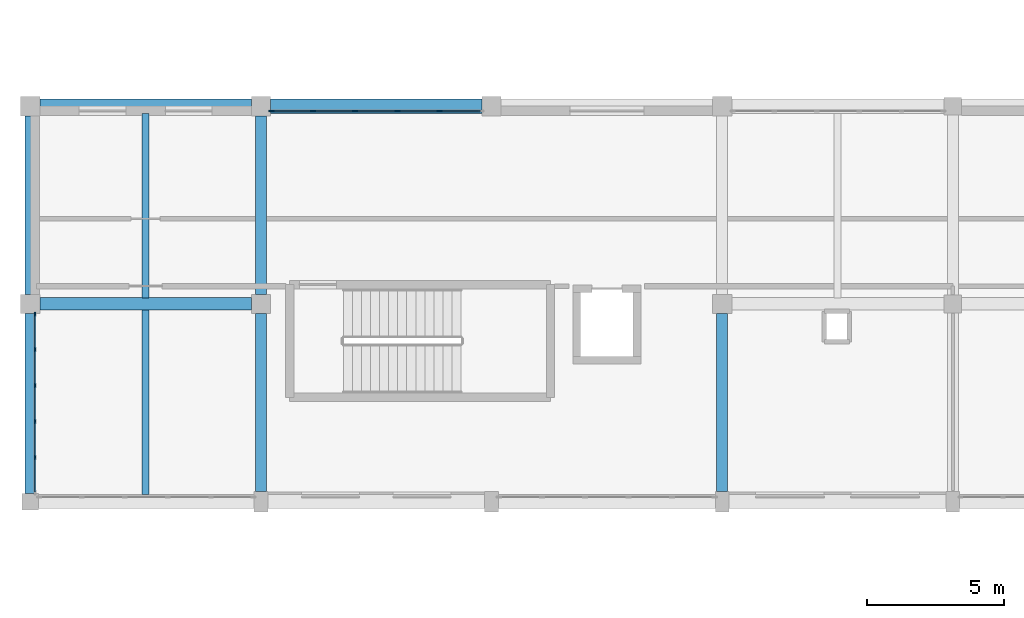
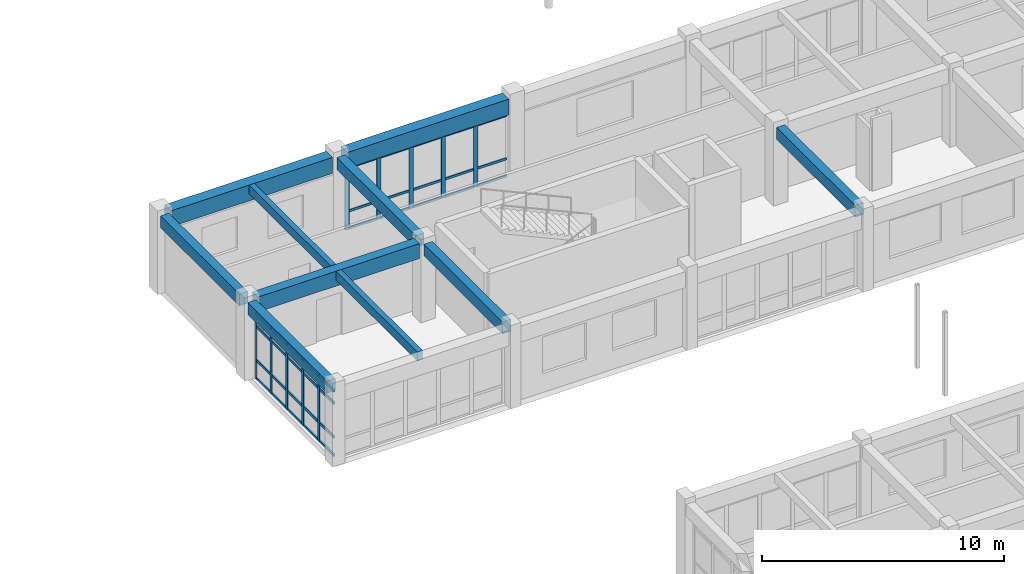
# One storey, part 55 of 147: 45 members, 10 beams, 2 elements without a shape of their own.
"""IFC4 building model written with IfcOpenShell, lengths in metres."""

from ifc_helpers import new_model, si_unit, direction, frame, origin, origin_2d, place, context, subcontext, project, spatial, rectangle, extrude, material, material_profile, profile_set, type_object, element, aggregate, save


model = new_model("IFC4")

# Units and contexts
model_context = context("Model", 3, precision=1e-05, world=origin(), true_north=direction((0.0, 1.0)))
body_context = subcontext(model_context, "Body", "Model", "MODEL_VIEW")
ifc_project = project(units=[si_unit("LENGTHUNIT", "METRE"), si_unit("AREAUNIT", "SQUARE_METRE"), si_unit("VOLUMEUNIT", "CUBIC_METRE"), si_unit("PLANEANGLEUNIT", "RADIAN"), si_unit("MASSUNIT", "GRAM", prefix="KILO")], contexts=[model_context])

# Site, building, storey
site_placement = place(None, origin())
site = spatial("IfcSite", under=ifc_project, at=site_placement, CompositionType="ELEMENT")
building_placement = place(site_placement, origin())
building = spatial("IfcBuilding", under=site, at=building_placement, Name="Malvenik Polytechnic", CompositionType="ELEMENT")
storey_placement = place(building_placement, frame((0.0, 0.0, 5.10009765625)))
storey = spatial("IfcBuildingStorey", under=building, at=storey_placement, Name="L01", CompositionType="ELEMENT", Elevation=5.10009765625)

# Curtain wall, members
ifc_material_1 = material(Name="Anodised aluminium 6060-T6", Category="aluminium")
curtain_wall_type_1 = type_object("IfcCurtainWallType", Name="ARC-CW-CW-05", PredefinedType="NOTDEFINED", material=ifc_material_1)
curtain_wall_1_placement = place(storey_placement, origin())
curtain_wall_1 = element("IfcCurtainWall", 1, at=curtain_wall_1_placement, inside=storey, type_object=curtain_wall_type_1, Name="Unitised Curtain Wall CW-05 L01 #32", PredefinedType="NOTDEFINED")
ifc_material_2 = material(Name="Anodised aluminium", Category="aluminium")
ifc_material_profile_1 = material_profile(ifc_material_2, rectangle(XDim=0.06005859375, YDim=0.159912109375, at=origin_2d()), Name="ALU MULLION 60x160")
ifc_profile_set_1 = profile_set([ifc_material_profile_1], Name="Anodised aluminium")
member_type_1 = type_object("IfcMemberType", Name="ARC-CWM-160", PredefinedType="MULLION", material=ifc_profile_set_1)
member_1_placement = place(storey_placement, frame((0.169921875, 80.808837890625, 0.0), z_axis=(0.0, 0.0, 1.0), x_axis=(-1.0, 0.0, 0.0)))
member_1 = element("IfcMember", 2, at=member_1_placement, type_object=member_type_1, Name="CW-05 mullion 2", PredefinedType="MULLION", context=body_context, shape_type="SweptSolid", body=[
    extrude(rectangle(XDim=0.06005859375, YDim=0.159912109375, at=origin_2d()), origin(), (0.0, 0.0, 1.0), 3.309814453125),
])
member_2_placement = place(storey_placement, frame((0.169921875, 82.11962890625, 0.0), z_axis=(0.0, 0.0, 1.0), x_axis=(-1.0, 0.0, 0.0)))
member_2 = element("IfcMember", 3, at=member_2_placement, type_object=member_type_1, Name="CW-05 mullion 3", PredefinedType="MULLION", context=body_context, shape_type="SweptSolid", body=[
    extrude(rectangle(XDim=0.06005859375, YDim=0.159912109375, at=origin_2d()), origin(), (0.0, 0.0, 1.0), 3.309814453125),
])
member_3_placement = place(storey_placement, frame((0.169921875, 83.430419921875, 0.0), z_axis=(0.0, 0.0, 1.0), x_axis=(-1.0, 0.0, 0.0)))
member_3 = element("IfcMember", 4, at=member_3_placement, type_object=member_type_1, Name="CW-05 mullion 4", PredefinedType="MULLION", context=body_context, shape_type="SweptSolid", body=[
    extrude(rectangle(XDim=0.06005859375, YDim=0.159912109375, at=origin_2d()), origin(), (0.0, 0.0, 1.0), 3.309814453125),
])
member_4_placement = place(storey_placement, frame((0.169921875, 84.7412109375, 0.0), z_axis=(0.0, 0.0, 1.0), x_axis=(-1.0, 0.0, 0.0)))
member_4 = element("IfcMember", 5, at=member_4_placement, type_object=member_type_1, Name="CW-05 mullion 5", PredefinedType="MULLION", context=body_context, shape_type="SweptSolid", body=[
    extrude(rectangle(XDim=0.06005859375, YDim=0.159912109375, at=origin_2d()), origin(), (0.0, 0.0, 1.0), 3.309814453125),
])
member_5_placement = place(storey_placement, frame((0.169921875, 86.02197265625, 0.0), z_axis=(0.0, 0.0, 1.0), x_axis=(-1.0, 0.0, 0.0)))
member_5 = element("IfcMember", 6, at=member_5_placement, type_object=member_type_1, Name="CW-05 mullion 6", PredefinedType="MULLION", context=body_context, shape_type="SweptSolid", body=[
    extrude(rectangle(XDim=0.06005859375, YDim=0.159912109375, at=origin_2d()), origin(), (0.0, 0.0, 1.0), 3.309814453125),
])

curtain_wall_type_2 = type_object("IfcCurtainWallType", Name="ARC-CW-CW-02", PredefinedType="NOTDEFINED", material=ifc_material_1)
curtain_wall_2_placement = place(storey_placement, origin())
curtain_wall_2 = element("IfcCurtainWall", 7, at=curtain_wall_2_placement, inside=storey, type_object=curtain_wall_type_2, Name="Unitised Curtain Wall CW-02 L01 #33", PredefinedType="NOTDEFINED")
ifc_material_profile_2 = material_profile(ifc_material_2, rectangle(XDim=0.06005859375, YDim=0.199951171875, at=origin_2d()), Name="ALU MULLION 60x200")
ifc_profile_set_2 = profile_set([ifc_material_profile_2], Name="Anodised aluminium")
member_type_2 = type_object("IfcMemberType", Name="ARC-CWM-200", PredefinedType="MULLION", material=ifc_profile_set_2)
member_6_placement = place(storey_placement, frame((8.778076171875, 93.429931640625, 0.0), z_axis=(0.0, 0.0, 1.0), x_axis=(0.0, 1.0, 0.0)))
member_6 = element("IfcMember", 8, at=member_6_placement, type_object=member_type_2, Name="CW-02 mullion 1", PredefinedType="MULLION", context=body_context, shape_type="SweptSolid", body=[
    extrude(rectangle(XDim=0.06005859375, YDim=0.199951171875, at=origin_2d()), origin(), (0.0, 0.0, 1.0), 3.10986328125),
])
member_7_placement = place(storey_placement, frame((10.288818359375, 93.429931640625, 0.0), z_axis=(0.0, 0.0, 1.0), x_axis=(0.0, 1.0, 0.0)))
member_7 = element("IfcMember", 9, at=member_7_placement, type_object=member_type_2, Name="CW-02 mullion 2", PredefinedType="MULLION", context=body_context, shape_type="SweptSolid", body=[
    extrude(rectangle(XDim=0.06005859375, YDim=0.199951171875, at=origin_2d()), origin(), (0.0, 0.0, 1.0), 3.10986328125),
])
member_8_placement = place(storey_placement, frame((11.82958984375, 93.429931640625, 0.0), z_axis=(0.0, 0.0, 1.0), x_axis=(0.0, 1.0, 0.0)))
member_8 = element("IfcMember", 10, at=member_8_placement, type_object=member_type_2, Name="CW-02 mullion 3", PredefinedType="MULLION", context=body_context, shape_type="SweptSolid", body=[
    extrude(rectangle(XDim=0.06005859375, YDim=0.199951171875, at=origin_2d()), origin(), (0.0, 0.0, 1.0), 3.10986328125),
])
member_9_placement = place(storey_placement, frame((13.370361328125, 93.429931640625, 0.0), z_axis=(0.0, 0.0, 1.0), x_axis=(0.0, 1.0, 0.0)))
member_9 = element("IfcMember", 11, at=member_9_placement, type_object=member_type_2, Name="CW-02 mullion 4", PredefinedType="MULLION", context=body_context, shape_type="SweptSolid", body=[
    extrude(rectangle(XDim=0.06005859375, YDim=0.199951171875, at=origin_2d()), origin(), (0.0, 0.0, 1.0), 3.10986328125),
])
member_10_placement = place(storey_placement, frame((14.9111328125, 93.429931640625, 0.0), z_axis=(0.0, 0.0, 1.0), x_axis=(0.0, 1.0, 0.0)))
member_10 = element("IfcMember", 12, at=member_10_placement, type_object=member_type_2, Name="CW-02 mullion 5", PredefinedType="MULLION", context=body_context, shape_type="SweptSolid", body=[
    extrude(rectangle(XDim=0.06005859375, YDim=0.199951171875, at=origin_2d()), origin(), (0.0, 0.0, 1.0), 3.10986328125),
])
ifc_material_profile_3 = material_profile(ifc_material_2, rectangle(XDim=0.06005859375, YDim=0.1201171875, at=origin_2d()), Name="ALU TRANSOM 60x120")
ifc_profile_set_3 = profile_set([ifc_material_profile_3], Name="Anodised aluminium")
member_type_3 = type_object("IfcMemberType", Name="ARC-CWT-120", PredefinedType="USERDEFINED", material=ifc_profile_set_3)
member_11_placement = place(storey_placement, frame((8.80810546875, 93.429931640625, 0.02978515625), z_axis=(1.0, 0.0, 0.0), x_axis=(0.0, 1.0, 0.0)))
member_11 = element("IfcMember", 13, at=member_11_placement, type_object=member_type_3, Name="CW-02 transom 1.1", ObjectType="TRANSOM", PredefinedType="USERDEFINED", context=body_context, shape_type="SweptSolid", body=[
    extrude(rectangle(XDim=0.06005859375, YDim=0.1201171875, at=origin_2d()), origin(), (0.0, 0.0, 1.0), 1.45068359375),
])
member_12_placement = place(storey_placement, frame((8.80810546875, 93.429931640625, 0.89990234375), z_axis=(1.0, 0.0, 0.0), x_axis=(0.0, 1.0, 0.0)))
member_12 = element("IfcMember", 14, at=member_12_placement, type_object=member_type_3, Name="CW-02 transom 1.2", ObjectType="TRANSOM", PredefinedType="USERDEFINED", context=body_context, shape_type="SweptSolid", body=[
    extrude(rectangle(XDim=0.06005859375, YDim=0.1201171875, at=origin_2d()), origin(), (0.0, 0.0, 1.0), 1.45068359375),
])
member_13_placement = place(storey_placement, frame((8.80810546875, 93.429931640625, 3.079833984375), z_axis=(1.0, 0.0, 0.0), x_axis=(0.0, 1.0, 0.0)))
member_13 = element("IfcMember", 15, at=member_13_placement, type_object=member_type_3, Name="CW-02 transom 1.3", ObjectType="TRANSOM", PredefinedType="USERDEFINED", context=body_context, shape_type="SweptSolid", body=[
    extrude(rectangle(XDim=0.06005859375, YDim=0.1201171875, at=origin_2d()), origin(), (0.0, 0.0, 1.0), 1.45068359375),
])
member_14_placement = place(storey_placement, frame((10.31884765625, 93.429931640625, 0.02978515625), z_axis=(1.0, 0.0, 0.0), x_axis=(0.0, 1.0, 0.0)))
member_14 = element("IfcMember", 16, at=member_14_placement, type_object=member_type_3, Name="CW-02 transom 2.1", ObjectType="TRANSOM", PredefinedType="USERDEFINED", context=body_context, shape_type="SweptSolid", body=[
    extrude(rectangle(XDim=0.06005859375, YDim=0.1201171875, at=origin_2d()), origin(), (0.0, 0.0, 1.0), 1.480712890625),
])
member_15_placement = place(storey_placement, frame((10.31884765625, 93.429931640625, 0.89990234375), z_axis=(1.0, 0.0, 0.0), x_axis=(0.0, 1.0, 0.0)))
member_15 = element("IfcMember", 17, at=member_15_placement, type_object=member_type_3, Name="CW-02 transom 2.2", ObjectType="TRANSOM", PredefinedType="USERDEFINED", context=body_context, shape_type="SweptSolid", body=[
    extrude(rectangle(XDim=0.06005859375, YDim=0.1201171875, at=origin_2d()), origin(), (0.0, 0.0, 1.0), 1.480712890625),
])
member_16_placement = place(storey_placement, frame((10.31884765625, 93.429931640625, 3.079833984375), z_axis=(1.0, 0.0, 0.0), x_axis=(0.0, 1.0, 0.0)))
member_16 = element("IfcMember", 18, at=member_16_placement, type_object=member_type_3, Name="CW-02 transom 2.3", ObjectType="TRANSOM", PredefinedType="USERDEFINED", context=body_context, shape_type="SweptSolid", body=[
    extrude(rectangle(XDim=0.06005859375, YDim=0.1201171875, at=origin_2d()), origin(), (0.0, 0.0, 1.0), 1.480712890625),
])
member_17_placement = place(storey_placement, frame((11.859619140625, 93.429931640625, 0.02978515625), z_axis=(1.0, 0.0, 0.0), x_axis=(0.0, 1.0, 0.0)))
member_17 = element("IfcMember", 19, at=member_17_placement, type_object=member_type_3, Name="CW-02 transom 3.1", ObjectType="TRANSOM", PredefinedType="USERDEFINED", context=body_context, shape_type="SweptSolid", body=[
    extrude(rectangle(XDim=0.06005859375, YDim=0.1201171875, at=origin_2d()), origin(), (0.0, 0.0, 1.0), 1.480712890625),
])
member_18_placement = place(storey_placement, frame((11.859619140625, 93.429931640625, 0.89990234375), z_axis=(1.0, 0.0, 0.0), x_axis=(0.0, 1.0, 0.0)))
member_18 = element("IfcMember", 20, at=member_18_placement, type_object=member_type_3, Name="CW-02 transom 3.2", ObjectType="TRANSOM", PredefinedType="USERDEFINED", context=body_context, shape_type="SweptSolid", body=[
    extrude(rectangle(XDim=0.06005859375, YDim=0.1201171875, at=origin_2d()), origin(), (0.0, 0.0, 1.0), 1.480712890625),
])
member_19_placement = place(storey_placement, frame((11.859619140625, 93.429931640625, 3.079833984375), z_axis=(1.0, 0.0, 0.0), x_axis=(0.0, 1.0, 0.0)))
member_19 = element("IfcMember", 21, at=member_19_placement, type_object=member_type_3, Name="CW-02 transom 3.3", ObjectType="TRANSOM", PredefinedType="USERDEFINED", context=body_context, shape_type="SweptSolid", body=[
    extrude(rectangle(XDim=0.06005859375, YDim=0.1201171875, at=origin_2d()), origin(), (0.0, 0.0, 1.0), 1.480712890625),
])
member_20_placement = place(storey_placement, frame((13.400390625, 93.429931640625, 0.02978515625), z_axis=(1.0, 0.0, 0.0), x_axis=(0.0, 1.0, 0.0)))
member_20 = element("IfcMember", 22, at=member_20_placement, type_object=member_type_3, Name="CW-02 transom 4.1", ObjectType="TRANSOM", PredefinedType="USERDEFINED", context=body_context, shape_type="SweptSolid", body=[
    extrude(rectangle(XDim=0.06005859375, YDim=0.1201171875, at=origin_2d()), origin(), (0.0, 0.0, 1.0), 1.480712890625),
])
member_21_placement = place(storey_placement, frame((13.400390625, 93.429931640625, 0.89990234375), z_axis=(1.0, 0.0, 0.0), x_axis=(0.0, 1.0, 0.0)))
member_21 = element("IfcMember", 23, at=member_21_placement, type_object=member_type_3, Name="CW-02 transom 4.2", ObjectType="TRANSOM", PredefinedType="USERDEFINED", context=body_context, shape_type="SweptSolid", body=[
    extrude(rectangle(XDim=0.06005859375, YDim=0.1201171875, at=origin_2d()), origin(), (0.0, 0.0, 1.0), 1.480712890625),
])
member_22_placement = place(storey_placement, frame((13.400390625, 93.429931640625, 3.079833984375), z_axis=(1.0, 0.0, 0.0), x_axis=(0.0, 1.0, 0.0)))
member_22 = element("IfcMember", 24, at=member_22_placement, type_object=member_type_3, Name="CW-02 transom 4.3", ObjectType="TRANSOM", PredefinedType="USERDEFINED", context=body_context, shape_type="SweptSolid", body=[
    extrude(rectangle(XDim=0.06005859375, YDim=0.1201171875, at=origin_2d()), origin(), (0.0, 0.0, 1.0), 1.480712890625),
])
member_23_placement = place(storey_placement, frame((14.941162109375, 93.429931640625, 0.02978515625), z_axis=(1.0, 0.0, 0.0), x_axis=(0.0, 1.0, 0.0)))
member_23 = element("IfcMember", 25, at=member_23_placement, type_object=member_type_3, Name="CW-02 transom 5.1", ObjectType="TRANSOM", PredefinedType="USERDEFINED", context=body_context, shape_type="SweptSolid", body=[
    extrude(rectangle(XDim=0.06005859375, YDim=0.1201171875, at=origin_2d()), origin(), (0.0, 0.0, 1.0), 1.450927734375),
])
member_24_placement = place(storey_placement, frame((14.941162109375, 93.429931640625, 0.89990234375), z_axis=(1.0, 0.0, 0.0), x_axis=(0.0, 1.0, 0.0)))
member_24 = element("IfcMember", 26, at=member_24_placement, type_object=member_type_3, Name="CW-02 transom 5.2", ObjectType="TRANSOM", PredefinedType="USERDEFINED", context=body_context, shape_type="SweptSolid", body=[
    extrude(rectangle(XDim=0.06005859375, YDim=0.1201171875, at=origin_2d()), origin(), (0.0, 0.0, 1.0), 1.450927734375),
])
member_25_placement = place(storey_placement, frame((14.941162109375, 93.429931640625, 3.079833984375), z_axis=(1.0, 0.0, 0.0), x_axis=(0.0, 1.0, 0.0)))
member_25 = element("IfcMember", 27, at=member_25_placement, type_object=member_type_3, Name="CW-02 transom 5.3", ObjectType="TRANSOM", PredefinedType="USERDEFINED", context=body_context, shape_type="SweptSolid", body=[
    extrude(rectangle(XDim=0.06005859375, YDim=0.1201171875, at=origin_2d()), origin(), (0.0, 0.0, 1.0), 1.450927734375),
])
aggregate(curtain_wall_2, [member_6, member_7, member_8, member_9, member_10, member_11, member_12, member_13, member_14, member_15, member_16, member_17, member_18, member_19, member_20, member_21, member_22, member_23, member_24, member_25])

# Member
ifc_material_profile_4 = material_profile(ifc_material_2, rectangle(XDim=0.06005859375, YDim=0.139892578125, at=origin_2d()), Name="ALU TRANSOM 60x140")
ifc_profile_set_4 = profile_set([ifc_material_profile_4], Name="Anodised aluminium")
member_type_4 = type_object("IfcMemberType", Name="ARC-CWT-140", PredefinedType="USERDEFINED", material=ifc_profile_set_4)
member_26_placement = place(storey_placement, frame((0.169921875, 79.55810546875, 0.02978515625), z_axis=(0.0, 1.0, 0.0), x_axis=(-1.0, 0.0, 0.0)))
member_26 = element("IfcMember", 28, at=member_26_placement, type_object=member_type_4, Name="CW-05 transom 1.1", ObjectType="TRANSOM", PredefinedType="USERDEFINED", context=body_context, shape_type="SweptSolid", body=[
    extrude(rectangle(XDim=0.06005859375, YDim=0.139892578125, at=origin_2d()), origin(), (0.0, 0.0, 1.0), 1.220703125),
])

member_27_placement = place(storey_placement, frame((0.169921875, 79.55810546875, 0.949951171875), z_axis=(0.0, 1.0, 0.0), x_axis=(-1.0, 0.0, 0.0)))
member_27 = element("IfcMember", 29, at=member_27_placement, type_object=member_type_4, Name="CW-05 transom 1.2", ObjectType="TRANSOM", PredefinedType="USERDEFINED", context=body_context, shape_type="SweptSolid", body=[
    extrude(rectangle(XDim=0.06005859375, YDim=0.139892578125, at=origin_2d()), origin(), (0.0, 0.0, 1.0), 1.220703125),
])

member_28_placement = place(storey_placement, frame((0.169921875, 79.55810546875, 2.659912109375), z_axis=(0.0, 1.0, 0.0), x_axis=(-1.0, 0.0, 0.0)))
member_28 = element("IfcMember", 30, at=member_28_placement, type_object=member_type_4, Name="CW-05 transom 1.3", ObjectType="TRANSOM", PredefinedType="USERDEFINED", context=body_context, shape_type="SweptSolid", body=[
    extrude(rectangle(XDim=0.06005859375, YDim=0.139892578125, at=origin_2d()), origin(), (0.0, 0.0, 1.0), 1.220703125),
])

member_29_placement = place(storey_placement, frame((0.169921875, 79.55810546875, 3.27978515625), z_axis=(0.0, 1.0, 0.0), x_axis=(-1.0, 0.0, 0.0)))
member_29 = element("IfcMember", 31, at=member_29_placement, type_object=member_type_4, Name="CW-05 transom 1.4", ObjectType="TRANSOM", PredefinedType="USERDEFINED", context=body_context, shape_type="SweptSolid", body=[
    extrude(rectangle(XDim=0.06005859375, YDim=0.139892578125, at=origin_2d()), origin(), (0.0, 0.0, 1.0), 1.220703125),
])

member_30_placement = place(storey_placement, frame((0.169921875, 80.8388671875, 0.02978515625), z_axis=(0.0, 1.0, 0.0), x_axis=(-1.0, 0.0, 0.0)))
member_30 = element("IfcMember", 32, at=member_30_placement, type_object=member_type_4, Name="CW-05 transom 2.1", ObjectType="TRANSOM", PredefinedType="USERDEFINED", context=body_context, shape_type="SweptSolid", body=[
    extrude(rectangle(XDim=0.06005859375, YDim=0.139892578125, at=origin_2d()), origin(), (0.0, 0.0, 1.0), 1.250732421875),
])

member_31_placement = place(storey_placement, frame((0.169921875, 80.8388671875, 0.949951171875), z_axis=(0.0, 1.0, 0.0), x_axis=(-1.0, 0.0, 0.0)))
member_31 = element("IfcMember", 33, at=member_31_placement, type_object=member_type_4, Name="CW-05 transom 2.2", ObjectType="TRANSOM", PredefinedType="USERDEFINED", context=body_context, shape_type="SweptSolid", body=[
    extrude(rectangle(XDim=0.06005859375, YDim=0.139892578125, at=origin_2d()), origin(), (0.0, 0.0, 1.0), 1.250732421875),
])

member_32_placement = place(storey_placement, frame((0.169921875, 80.8388671875, 2.659912109375), z_axis=(0.0, 1.0, 0.0), x_axis=(-1.0, 0.0, 0.0)))
member_32 = element("IfcMember", 34, at=member_32_placement, type_object=member_type_4, Name="CW-05 transom 2.3", ObjectType="TRANSOM", PredefinedType="USERDEFINED", context=body_context, shape_type="SweptSolid", body=[
    extrude(rectangle(XDim=0.06005859375, YDim=0.139892578125, at=origin_2d()), origin(), (0.0, 0.0, 1.0), 1.250732421875),
])

member_33_placement = place(storey_placement, frame((0.169921875, 80.8388671875, 3.27978515625), z_axis=(0.0, 1.0, 0.0), x_axis=(-1.0, 0.0, 0.0)))
member_33 = element("IfcMember", 35, at=member_33_placement, type_object=member_type_4, Name="CW-05 transom 2.4", ObjectType="TRANSOM", PredefinedType="USERDEFINED", context=body_context, shape_type="SweptSolid", body=[
    extrude(rectangle(XDim=0.06005859375, YDim=0.139892578125, at=origin_2d()), origin(), (0.0, 0.0, 1.0), 1.250732421875),
])

member_34_placement = place(storey_placement, frame((0.169921875, 82.149658203125, 0.02978515625), z_axis=(0.0, 1.0, 0.0), x_axis=(-1.0, 0.0, 0.0)))
member_34 = element("IfcMember", 36, at=member_34_placement, type_object=member_type_4, Name="CW-05 transom 3.1", ObjectType="TRANSOM", PredefinedType="USERDEFINED", context=body_context, shape_type="SweptSolid", body=[
    extrude(rectangle(XDim=0.06005859375, YDim=0.139892578125, at=origin_2d()), origin(), (0.0, 0.0, 1.0), 1.250732421875),
])

member_35_placement = place(storey_placement, frame((0.169921875, 82.149658203125, 0.949951171875), z_axis=(0.0, 1.0, 0.0), x_axis=(-1.0, 0.0, 0.0)))
member_35 = element("IfcMember", 37, at=member_35_placement, type_object=member_type_4, Name="CW-05 transom 3.2", ObjectType="TRANSOM", PredefinedType="USERDEFINED", context=body_context, shape_type="SweptSolid", body=[
    extrude(rectangle(XDim=0.06005859375, YDim=0.139892578125, at=origin_2d()), origin(), (0.0, 0.0, 1.0), 1.250732421875),
])

member_36_placement = place(storey_placement, frame((0.169921875, 82.149658203125, 2.659912109375), z_axis=(0.0, 1.0, 0.0), x_axis=(-1.0, 0.0, 0.0)))
member_36 = element("IfcMember", 38, at=member_36_placement, type_object=member_type_4, Name="CW-05 transom 3.3", ObjectType="TRANSOM", PredefinedType="USERDEFINED", context=body_context, shape_type="SweptSolid", body=[
    extrude(rectangle(XDim=0.06005859375, YDim=0.139892578125, at=origin_2d()), origin(), (0.0, 0.0, 1.0), 1.250732421875),
])

member_37_placement = place(storey_placement, frame((0.169921875, 82.149658203125, 3.27978515625), z_axis=(0.0, 1.0, 0.0), x_axis=(-1.0, 0.0, 0.0)))
member_37 = element("IfcMember", 39, at=member_37_placement, type_object=member_type_4, Name="CW-05 transom 3.4", ObjectType="TRANSOM", PredefinedType="USERDEFINED", context=body_context, shape_type="SweptSolid", body=[
    extrude(rectangle(XDim=0.06005859375, YDim=0.139892578125, at=origin_2d()), origin(), (0.0, 0.0, 1.0), 1.250732421875),
])

member_38_placement = place(storey_placement, frame((0.169921875, 83.46044921875, 0.02978515625), z_axis=(0.0, 1.0, 0.0), x_axis=(-1.0, 0.0, 0.0)))
member_38 = element("IfcMember", 40, at=member_38_placement, type_object=member_type_4, Name="CW-05 transom 4.1", ObjectType="TRANSOM", PredefinedType="USERDEFINED", context=body_context, shape_type="SweptSolid", body=[
    extrude(rectangle(XDim=0.06005859375, YDim=0.139892578125, at=origin_2d()), origin(), (0.0, 0.0, 1.0), 1.250732421875),
])

member_39_placement = place(storey_placement, frame((0.169921875, 83.46044921875, 0.949951171875), z_axis=(0.0, 1.0, 0.0), x_axis=(-1.0, 0.0, 0.0)))
member_39 = element("IfcMember", 41, at=member_39_placement, type_object=member_type_4, Name="CW-05 transom 4.2", ObjectType="TRANSOM", PredefinedType="USERDEFINED", context=body_context, shape_type="SweptSolid", body=[
    extrude(rectangle(XDim=0.06005859375, YDim=0.139892578125, at=origin_2d()), origin(), (0.0, 0.0, 1.0), 1.250732421875),
])

member_40_placement = place(storey_placement, frame((0.169921875, 83.46044921875, 2.659912109375), z_axis=(0.0, 1.0, 0.0), x_axis=(-1.0, 0.0, 0.0)))
member_40 = element("IfcMember", 42, at=member_40_placement, type_object=member_type_4, Name="CW-05 transom 4.3", ObjectType="TRANSOM", PredefinedType="USERDEFINED", context=body_context, shape_type="SweptSolid", body=[
    extrude(rectangle(XDim=0.06005859375, YDim=0.139892578125, at=origin_2d()), origin(), (0.0, 0.0, 1.0), 1.250732421875),
])

member_41_placement = place(storey_placement, frame((0.169921875, 83.46044921875, 3.27978515625), z_axis=(0.0, 1.0, 0.0), x_axis=(-1.0, 0.0, 0.0)))
member_41 = element("IfcMember", 43, at=member_41_placement, type_object=member_type_4, Name="CW-05 transom 4.4", ObjectType="TRANSOM", PredefinedType="USERDEFINED", context=body_context, shape_type="SweptSolid", body=[
    extrude(rectangle(XDim=0.06005859375, YDim=0.139892578125, at=origin_2d()), origin(), (0.0, 0.0, 1.0), 1.250732421875),
])

member_42_placement = place(storey_placement, frame((0.169921875, 84.771240234375, 0.02978515625), z_axis=(0.0, 1.0, 0.0), x_axis=(-1.0, 0.0, 0.0)))
member_42 = element("IfcMember", 44, at=member_42_placement, type_object=member_type_4, Name="CW-05 transom 5.1", ObjectType="TRANSOM", PredefinedType="USERDEFINED", context=body_context, shape_type="SweptSolid", body=[
    extrude(rectangle(XDim=0.06005859375, YDim=0.139892578125, at=origin_2d()), origin(), (0.0, 0.0, 1.0), 1.220703125),
])

member_43_placement = place(storey_placement, frame((0.169921875, 84.771240234375, 0.949951171875), z_axis=(0.0, 1.0, 0.0), x_axis=(-1.0, 0.0, 0.0)))
member_43 = element("IfcMember", 45, at=member_43_placement, type_object=member_type_4, Name="CW-05 transom 5.2", ObjectType="TRANSOM", PredefinedType="USERDEFINED", context=body_context, shape_type="SweptSolid", body=[
    extrude(rectangle(XDim=0.06005859375, YDim=0.139892578125, at=origin_2d()), origin(), (0.0, 0.0, 1.0), 1.220703125),
])

member_44_placement = place(storey_placement, frame((0.169921875, 84.771240234375, 2.659912109375), z_axis=(0.0, 1.0, 0.0), x_axis=(-1.0, 0.0, 0.0)))
member_44 = element("IfcMember", 46, at=member_44_placement, type_object=member_type_4, Name="CW-05 transom 5.3", ObjectType="TRANSOM", PredefinedType="USERDEFINED", context=body_context, shape_type="SweptSolid", body=[
    extrude(rectangle(XDim=0.06005859375, YDim=0.139892578125, at=origin_2d()), origin(), (0.0, 0.0, 1.0), 1.220703125),
])

member_45_placement = place(storey_placement, frame((0.169921875, 84.771240234375, 3.27978515625), z_axis=(0.0, 1.0, 0.0), x_axis=(-1.0, 0.0, 0.0)))
member_45 = element("IfcMember", 47, at=member_45_placement, type_object=member_type_4, Name="CW-05 transom 5.4", ObjectType="TRANSOM", PredefinedType="USERDEFINED", context=body_context, shape_type="SweptSolid", body=[
    extrude(rectangle(XDim=0.06005859375, YDim=0.139892578125, at=origin_2d()), origin(), (0.0, 0.0, 1.0), 1.220703125),
])

aggregate(curtain_wall_1, [member_1, member_2, member_3, member_4, member_5, member_26, member_27, member_28, member_29, member_30, member_31, member_32, member_33, member_34, member_35, member_36, member_37, member_38, member_39, member_40, member_41, member_42, member_43, member_44, member_45])

# Beams
ifc_material_3 = material(Name="Concrete C35/45", Category="concrete")
ifc_material_profile_5 = material_profile(ifc_material_3, rectangle(XDim=0.449951171875, YDim=0.75, at=origin_2d()), Name="RC BM 450x750")
ifc_profile_set_5 = profile_set([ifc_material_profile_5], Name="Concrete C35/45")
beam_type_1 = type_object("IfcBeamType", Name="STR-BM-B-03", PredefinedType="BEAM", material=ifc_profile_set_5)
beam_1_placement = place(storey_placement, frame((0.347900390625, 86.39990234375, 3.544921875), z_axis=(1.0, 0.0, 0.0), x_axis=(0.0, 1.0, 0.0)))
element("IfcBeam", 48, at=beam_1_placement, inside=storey, type_object=beam_type_1, Name="Primary Beam B-03 L01 #1057", PredefinedType="BEAM", context=body_context, shape_type="SweptSolid", body=[
    extrude(rectangle(XDim=0.449951171875, YDim=0.75, at=origin_2d()), origin(), (0.0, 0.0, 1.0), 7.7041015625),
])
ifc_material_profile_6 = material_profile(ifc_material_3, rectangle(XDim=0.39990234375, YDim=0.60009765625, at=origin_2d()), Name="RC BM 400x600")
ifc_profile_set_6 = profile_set([ifc_material_profile_6], Name="Concrete C35/45")
beam_type_2 = type_object("IfcBeamType", Name="STR-BM-B-06", PredefinedType="BEAM", material=ifc_profile_set_6)
beam_2_placement = place(storey_placement, frame((0.0, 79.498046875, 3.619873046875), z_axis=(0.0, 1.0, 0.0), x_axis=(-1.0, 0.0, 0.0)))
element("IfcBeam", 49, at=beam_2_placement, inside=storey, type_object=beam_type_2, Name="Transverse Beam B-06 L01 #1127", PredefinedType="BEAM", context=body_context, shape_type="SweptSolid", body=[
    extrude(rectangle(XDim=0.39990234375, YDim=0.60009765625, at=origin_2d()), origin(), (0.0, 0.0, 1.0), 6.553955078125),
])
beam_3_placement = place(storey_placement, frame((0.0, 86.748046875, 3.619873046875), z_axis=(0.0, 1.0, 0.0), x_axis=(-1.0, 0.0, 0.0)))
element("IfcBeam", 50, at=beam_3_placement, inside=storey, type_object=beam_type_2, Name="Transverse Beam B-06 L01 #1128", PredefinedType="BEAM", context=body_context, shape_type="SweptSolid", body=[
    extrude(rectangle(XDim=0.39990234375, YDim=0.60009765625, at=origin_2d()), origin(), (0.0, 0.0, 1.0), 6.50390625),
])
beam_4_placement = place(storey_placement, frame((8.39990234375, 79.572998046875, 3.619873046875), z_axis=(0.0, 1.0, 0.0), x_axis=(-1.0, 0.0, 0.0)))
element("IfcBeam", 51, at=beam_4_placement, inside=storey, type_object=beam_type_2, Name="Transverse Beam B-06 L01 #1133", PredefinedType="BEAM", context=body_context, shape_type="SweptSolid", body=[
    extrude(rectangle(XDim=0.39990234375, YDim=0.60009765625, at=origin_2d()), origin(), (0.0, 0.0, 1.0), 6.47900390625),
])
beam_5_placement = place(storey_placement, frame((8.39990234375, 86.748046875, 3.619873046875), z_axis=(0.0, 1.0, 0.0), x_axis=(-1.0, 0.0, 0.0)))
element("IfcBeam", 52, at=beam_5_placement, inside=storey, type_object=beam_type_2, Name="Transverse Beam B-06 L01 #1134", PredefinedType="BEAM", context=body_context, shape_type="SweptSolid", body=[
    extrude(rectangle(XDim=0.39990234375, YDim=0.60009765625, at=origin_2d()), origin(), (0.0, 0.0, 1.0), 6.50390625),
])
beam_6_placement = place(storey_placement, frame((25.199951171875, 79.572998046875, 3.619873046875), z_axis=(0.0, 1.0, 0.0), x_axis=(-1.0, 0.0, 0.0)))
element("IfcBeam", 53, at=beam_6_placement, inside=storey, type_object=beam_type_2, Name="Transverse Beam B-06 L01 #1141", PredefinedType="BEAM", context=body_context, shape_type="SweptSolid", body=[
    extrude(rectangle(XDim=0.39990234375, YDim=0.60009765625, at=origin_2d()), origin(), (0.0, 0.0, 1.0), 6.47900390625),
])
ifc_material_4 = material(Name="Concrete C30/37", Category="concrete")
ifc_material_profile_7 = material_profile(ifc_material_4, rectangle(XDim=0.25, YDim=0.449951171875, at=origin_2d()), Name="RC JST 250x450")
ifc_profile_set_7 = profile_set([ifc_material_profile_7], Name="Concrete C30/37")
beam_type_3 = type_object("IfcBeamType", Name="STR-BM-J-02", PredefinedType="JOIST", material=ifc_profile_set_7)
for number, where, z_axis, x_axis, name in (
    (54, (4.199951171875, 79.4580078125, 3.69482421875), (0.0, 1.0, 0.0), (-1.0, 0.0, 0.0), "Secondary Rib Joist J-02 L01 #1250"),
    (55, (4.199951171875, 86.623046875, 3.69482421875), (0.0, 1.0, 0.0), (-1.0, 0.0, 0.0), "Secondary Rib Joist J-02 L01 #1251"),
):
    element("IfcBeam", number, at=place(storey_placement, frame(where, z_axis=z_axis, x_axis=x_axis)), inside=storey, type_object=beam_type_3, Name=name, PredefinedType="JOIST", context=body_context, shape_type="SweptSolid", body=[
        extrude(rectangle(XDim=0.25, YDim=0.449951171875, at=origin_2d()), origin(), (0.0, 0.0, 1.0), 6.718994140625),
    ])
ifc_material_5 = material(Name="Precast concrete C40/50", Category="concrete")
ifc_material_profile_8 = material_profile(ifc_material_5, rectangle(XDim=0.52001953125, YDim=0.800048828125, at=origin_2d()), Name="PC SPN 520x800")
ifc_profile_set_8 = profile_set([ifc_material_profile_8], Name="Precast concrete C40/50")
beam_type_4 = type_object("IfcBeamType", Name="STR-BM-SP-01", PredefinedType="SPANDREL", material=ifc_profile_set_8)
beam_7_placement = place(storey_placement, frame((0.347900390625, 93.60009765625, 3.52001953125), z_axis=(1.0, 0.0, 0.0), x_axis=(0.0, 1.0, 0.0)))
element("IfcBeam", 56, at=beam_7_placement, inside=storey, type_object=beam_type_4, Name="Primary Beam SP-01 L01 #1069", PredefinedType="SPANDREL", context=body_context, shape_type="SweptSolid", body=[
    extrude(rectangle(XDim=0.52001953125, YDim=0.800048828125, at=origin_2d()), origin(), (0.0, 0.0, 1.0), 7.7041015625),
])
beam_8_placement = place(storey_placement, frame((8.748046875, 93.60009765625, 3.52001953125), z_axis=(1.0, 0.0, 0.0), x_axis=(0.0, 1.0, 0.0)))
element("IfcBeam", 57, at=beam_8_placement, inside=storey, type_object=beam_type_4, Name="Primary Beam SP-01 L01 #1070", PredefinedType="SPANDREL", context=body_context, shape_type="SweptSolid", body=[
    extrude(rectangle(XDim=0.52001953125, YDim=0.800048828125, at=origin_2d()), origin(), (0.0, 0.0, 1.0), 7.703857421875),
])

save(model, "model.ifc")
